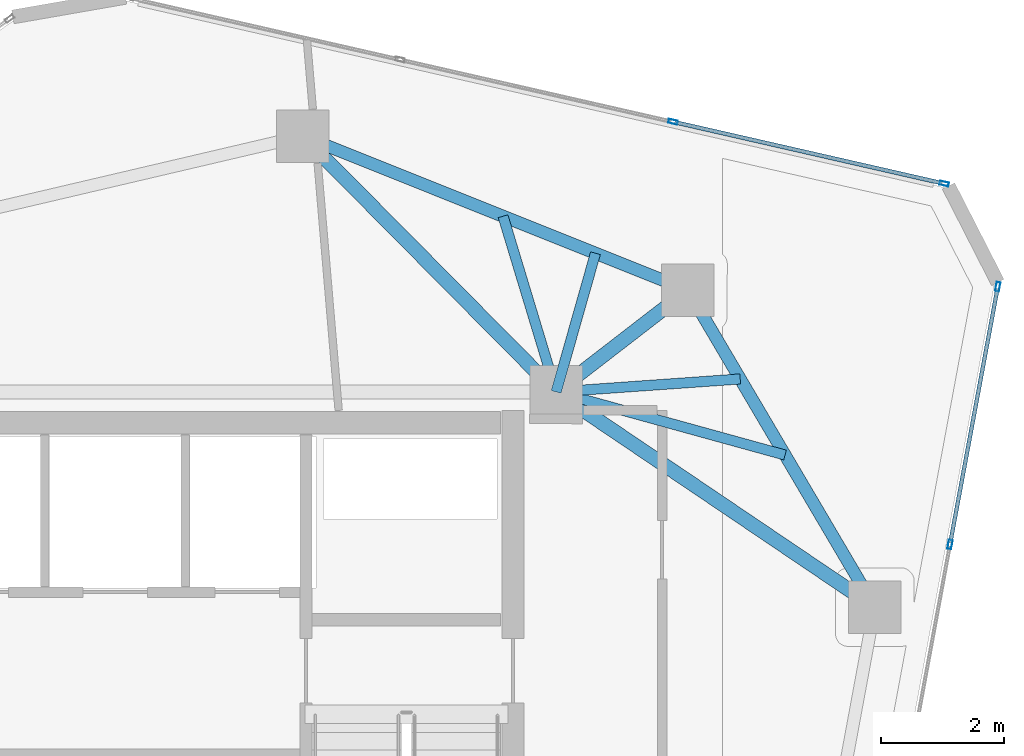
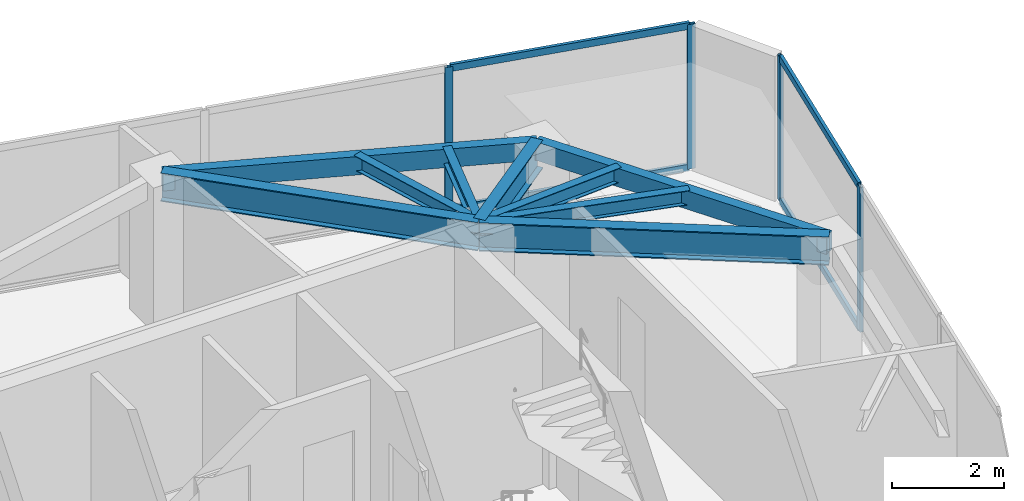
# One storey, part 13 of 19: 9 beams, 8 members, 2 elements without a shape of their own.
"""IFC4 building model written with IfcOpenShell, lengths in metres."""

from ifc_helpers import new_model, si_unit, direction, frame, origin, origin_2d, place, context, subcontext, project, spatial, hollow_rectangle, i_section, extrude, source, transform, mapped, material, layer, layer_set, material_profile, profile_set, type_object, type_shapes, element, aggregate, save


model = new_model("IFC4")

# Units and contexts
model_context = context("Model", 3, precision=1e-05, world=origin(), true_north=direction((0.0, 1.0)))
body_context = subcontext(model_context, "Body", "Model", "MODEL_VIEW")
ifc_project = project(units=[si_unit("LENGTHUNIT", "METRE"), si_unit("AREAUNIT", "SQUARE_METRE"), si_unit("VOLUMEUNIT", "CUBIC_METRE"), si_unit("PLANEANGLEUNIT", "RADIAN"), si_unit("MASSUNIT", "GRAM", prefix="KILO")], contexts=[model_context])

# Site, building, storey
site_placement = place(None, origin())
site = spatial("IfcSite", under=ifc_project, at=site_placement, CompositionType="ELEMENT")
building_placement = place(site_placement, origin())
building = spatial("IfcBuilding", under=site, at=building_placement, Name="Talar Marvaseh", CompositionType="ELEMENT")
storey_placement = place(building_placement, frame((0.0, 0.0, 240.800048828125)))
storey = spatial("IfcBuildingStorey", under=building, at=storey_placement, Name="L63", CompositionType="ELEMENT", Elevation=240.800048828125)

# Beams
ifc_material_1 = material(Name="Steel S355", Category="steel")
ifc_material_profile_1 = material_profile(ifc_material_1, hollow_rectangle(XDim=0.199951171875, YDim=0.39990234375, WallThickness=0.013916015625, at=origin_2d()), Name="RHS400x200x14")
ifc_profile_set_1 = profile_set([ifc_material_profile_1], Name="Steel S355")
beam_type_1 = type_object("IfcBeamType", Name="Zone 3 Perimeter Spandrel Beam RHS400x200x14", PredefinedType="SPANDREL", material=ifc_profile_set_1)
beam_1_placement = place(storey_placement, frame((29.18798828125, 41.052001953125, 2.93994140625), z_axis=(0.928426659475, -0.371515730456, 0.0), x_axis=(0.371515730456, 0.928426659475, 0.0)))
element("IfcBeam", 1, at=beam_1_placement, inside=storey, type_object=beam_type_1, Name="L63 Zone 3 Perimeter Spandrel Beam RHS400x200x14", PredefinedType="SPANDREL", context=body_context, shape_type="SweptSolid", body=[
    extrude(hollow_rectangle(XDim=0.199951171875, YDim=0.39990234375, WallThickness=0.013916015625, at=origin_2d()), origin(), (0.0, 0.0, 1.0), 6.73193359375),
])
beam_2_placement = place(storey_placement, frame((35.43798828125, 38.551025390625, 2.93994140625), z_axis=(0.507825587611, -0.861459907696, 0.0), x_axis=(0.861459907696, 0.507825587611, 0.0)))
element("IfcBeam", 2, at=beam_2_placement, inside=storey, type_object=beam_type_1, Name="L63 Zone 3 Perimeter Spandrel Beam RHS400x200x14", PredefinedType="SPANDREL", context=body_context, shape_type="SweptSolid", body=[
    extrude(hollow_rectangle(XDim=0.199951171875, YDim=0.39990234375, WallThickness=0.013916015625, at=origin_2d()), origin(), (0.0, 0.0, 1.0), 5.972412109375),
])
ifc_material_profile_2 = material_profile(ifc_material_1, i_section(OverallWidth=0.166015625, OverallDepth=0.31298828125, WebThickness=0.006591796875, FlangeThickness=0.01123046875, at=origin_2d()), Name="W310x45")
ifc_profile_set_2 = profile_set([ifc_material_profile_2], Name="Steel S355")
beam_type_2 = type_object("IfcBeamType", Name="Zone 3 Secondary Floor Joist W310x45", PredefinedType="JOIST", material=ifc_profile_set_2)
beam_3_placement = place(storey_placement, frame((32.43798828125, 39.75146484375, 2.9833984375), z_axis=(0.289377277289, -0.957215122837, 0.0), x_axis=(0.957215122837, 0.289377277289, 0.0)))
element("IfcBeam", 3, at=beam_3_placement, inside=storey, type_object=beam_type_2, Name="L63 Zone 3 Secondary Floor Joist W310x45", PredefinedType="JOIST", context=body_context, shape_type="SweptSolid", body=[
    extrude(i_section(OverallWidth=0.166015625, OverallDepth=0.31298828125, WebThickness=0.006591796875, FlangeThickness=0.01123046875, at=origin_2d()), origin(), (0.0, 0.0, 1.0), 2.97900390625),
])
beam_4_placement = place(storey_placement, frame((33.93798828125, 39.151123046875, 2.9833984375), z_axis=(-0.272639596879, -0.962116235293, 0.0), x_axis=(0.962116235293, -0.272639596879, 0.0)))
element("IfcBeam", 4, at=beam_4_placement, inside=storey, type_object=beam_type_2, Name="L63 Zone 3 Secondary Floor Joist W310x45", PredefinedType="JOIST", context=body_context, shape_type="SweptSolid", body=[
    extrude(i_section(OverallWidth=0.166015625, OverallDepth=0.31298828125, WebThickness=0.006591796875, FlangeThickness=0.01123046875, at=origin_2d()), origin(), (0.0, 0.0, 1.0), 2.33984375),
])
beam_5_placement = place(storey_placement, frame((36.287109375, 37.1103515625, 2.9833984375), z_axis=(-0.99752734531, -0.070279409208, 0.0), x_axis=(0.070279409208, -0.99752734531, 0.0)))
element("IfcBeam", 5, at=beam_5_placement, inside=storey, type_object=beam_type_2, Name="L63 Zone 3 Secondary Floor Joist W310x45", PredefinedType="JOIST", context=body_context, shape_type="SweptSolid", body=[
    extrude(i_section(OverallWidth=0.166015625, OverallDepth=0.31298828125, WebThickness=0.006591796875, FlangeThickness=0.01123046875, at=origin_2d()), origin(), (0.0, 0.0, 1.0), 2.994384765625),
])
beam_6_placement = place(storey_placement, frame((37.01513671875, 35.87548828125, 2.9833984375), z_axis=(-0.964021733175, 0.265823433818, 0.0), x_axis=(-0.265823433818, -0.964021733175, 0.0)))
element("IfcBeam", 6, at=beam_6_placement, inside=storey, type_object=beam_type_2, Name="L63 Zone 3 Secondary Floor Joist W310x45", PredefinedType="JOIST", context=body_context, shape_type="SweptSolid", body=[
    extrude(i_section(OverallWidth=0.166015625, OverallDepth=0.31298828125, WebThickness=0.006591796875, FlangeThickness=0.01123046875, at=origin_2d()), origin(), (0.0, 0.0, 1.0), 3.853759765625),
])
ifc_material_profile_3 = material_profile(ifc_material_1, i_section(OverallWidth=0.22998046875, OverallDepth=0.616943359375, WebThickness=0.01318359375, FlangeThickness=0.022216796875, at=origin_2d()), Name="W610x140")
ifc_profile_set_3 = profile_set([ifc_material_profile_3], Name="Steel S355")
beam_type_3 = type_object("IfcBeamType", Name="Zone 4 Radial Floor Girder W610x140", PredefinedType="BEAM", material=ifc_profile_set_3)
beam_7_placement = place(storey_placement, frame((29.18798828125, 41.052001953125, 2.83154296875), z_axis=(0.703672658083, -0.710524306598, 0.0), x_axis=(0.710524306598, 0.703672658083, 0.0)))
element("IfcBeam", 7, at=beam_7_placement, inside=storey, type_object=beam_type_3, Name="L63 Zone 4 Radial Floor Girder W610x140", PredefinedType="BEAM", context=body_context, shape_type="SweptSolid", body=[
    extrude(i_section(OverallWidth=0.22998046875, OverallDepth=0.616943359375, WebThickness=0.01318359375, FlangeThickness=0.022216796875, at=origin_2d()), origin(), (0.0, 0.0, 1.0), 5.84375),
])
beam_8_placement = place(storey_placement, frame((35.43798828125, 38.551025390625, 2.83154296875), z_axis=(-0.791449946636, -0.611233982996, 0.0), x_axis=(0.611233982996, -0.791449946636, 0.0)))
element("IfcBeam", 8, at=beam_8_placement, inside=storey, type_object=beam_type_3, Name="L63 Zone 4 Radial Floor Girder W610x140", PredefinedType="BEAM", context=body_context, shape_type="SweptSolid", body=[
    extrude(i_section(OverallWidth=0.22998046875, OverallDepth=0.616943359375, WebThickness=0.01318359375, FlangeThickness=0.022216796875, at=origin_2d()), origin(), (0.0, 0.0, 1.0), 2.701416015625),
])
beam_9_placement = place(storey_placement, frame((38.470947265625, 33.406005859375, 2.83154296875), z_axis=(-0.828585535277, 0.559862492698, 0.0), x_axis=(-0.559862492698, -0.828585535277, 0.0)))
element("IfcBeam", 9, at=beam_9_placement, inside=storey, type_object=beam_type_3, Name="L63 Zone 4 Radial Floor Girder W610x140", PredefinedType="BEAM", context=body_context, shape_type="SweptSolid", body=[
    extrude(i_section(OverallWidth=0.22998046875, OverallDepth=0.616943359375, WebThickness=0.01318359375, FlangeThickness=0.022216796875, at=origin_2d()), origin(), (0.0, 0.0, 1.0), 6.24072265625),
])

# Curtain wall, members
ifc_material_2 = material(Name="Architectural Aluminium", Category="aluminium")
ifc_layer = layer(ifc_material_2, 0.179931640625)
ifc_layer_set = layer_set([ifc_layer], Name="Architectural Aluminium")
curtain_wall_type = type_object("IfcCurtainWallType", Name="Unitised High-Wind Sky Curtain Wall Z4", PredefinedType="NOTDEFINED", material=ifc_layer_set)
curtain_wall_1_placement = place(storey_placement, origin())
curtain_wall_1 = element("IfcCurtainWall", 10, at=curtain_wall_1_placement, inside=storey, type_object=curtain_wall_type, Name="L63 Unitised High-Wind Sky Curtain Wall Z4", PredefinedType="NOTDEFINED")
ifc_material_profile_4 = material_profile(ifc_material_2, hollow_rectangle(XDim=0.06494140625, YDim=0.14990234375, WallThickness=0.00390625, at=origin_2d()), Name="RHS150x65x4")
ifc_profile_set_4 = profile_set([ifc_material_profile_4], Name="Architectural Aluminium")
member_type_1 = type_object("IfcMemberType", Name="Unitised Curtain Wall Slim Mullion RHS150x65x4", PredefinedType="MULLION", material=ifc_profile_set_4)
shared_shape_1 = source(origin(), body_context, "Body", "SweptSolid", [
    extrude(hollow_rectangle(XDim=0.06494140625, YDim=0.14990234375, WallThickness=0.00390625, at=origin_2d()), origin(), (0.0, 0.0, 1.0), 3.139892578125),
])
type_shapes(member_type_1, [shared_shape_1])
member_1_placement = place(storey_placement, frame((35.197021484375, 41.283935546875, 0.0), z_axis=(0.0, 0.0, 1.0), x_axis=(0.2223358751, 0.97497013218, 0.0)))
member_1 = element("IfcMember", 11, at=member_1_placement, type_object=member_type_1, Name="CW-Z4 mullion 3", PredefinedType="MULLION", context=body_context, shape_type="MappedRepresentation", body=[
    mapped(shared_shape_1, transform((0.0, 0.0, 0.0), x_axis=(1.0, 0.0, 0.0), y_axis=(0.0, 1.0, 0.0), z_axis=(0.0, 0.0, 1.0), scale=1.0)),
])
member_2_placement = place(storey_placement, frame((39.5966796875, 40.28076171875, 0.0), z_axis=(0.0, 0.0, 1.0), x_axis=(0.2223358751, 0.97497013218, 0.0)))
member_2 = element("IfcMember", 12, at=member_2_placement, type_object=member_type_1, Name="CW-Z4 mullion 4", PredefinedType="MULLION", context=body_context, shape_type="MappedRepresentation", body=[
    mapped(shared_shape_1, transform((0.0, 0.0, 0.0), x_axis=(1.0, 0.0, 0.0), y_axis=(0.0, 1.0, 0.0), z_axis=(0.0, 0.0, 1.0), scale=1.0)),
])

curtain_wall_2_placement = place(storey_placement, origin())
curtain_wall_2 = element("IfcCurtainWall", 13, at=curtain_wall_2_placement, inside=storey, type_object=curtain_wall_type, Name="L63 Unitised High-Wind Sky Curtain Wall Z4", PredefinedType="NOTDEFINED")
member_3_placement = place(storey_placement, frame((40.46826171875, 38.60693359375, 0.0), z_axis=(0.0, 0.0, 1.0), x_axis=(0.983227037765, -0.182385833354, 0.0)))
member_3 = element("IfcMember", 14, at=member_3_placement, type_object=member_type_1, Name="CW-Z4 mullion 1", PredefinedType="MULLION", context=body_context, shape_type="MappedRepresentation", body=[
    mapped(shared_shape_1, transform((0.0, 0.0, 0.0), x_axis=(1.0, 0.0, 0.0), y_axis=(0.0, 1.0, 0.0), z_axis=(0.0, 0.0, 1.0), scale=1.0)),
])
member_4_placement = place(storey_placement, frame((39.6923828125, 34.424560546875, 0.0), z_axis=(0.0, 0.0, 1.0), x_axis=(0.983227037765, -0.182385833354, 0.0)))
member_4 = element("IfcMember", 15, at=member_4_placement, type_object=member_type_1, Name="CW-Z4 mullion 2", PredefinedType="MULLION", context=body_context, shape_type="MappedRepresentation", body=[
    mapped(shared_shape_1, transform((0.0, 0.0, 0.0), x_axis=(1.0, 0.0, 0.0), y_axis=(0.0, 1.0, 0.0), z_axis=(0.0, 0.0, 1.0), scale=1.0)),
])

# Member
ifc_material_profile_5 = material_profile(ifc_material_2, hollow_rectangle(XDim=0.06494140625, YDim=0.14990234375, WallThickness=0.00390625, at=origin_2d()), Name="RHS150x65x4")
ifc_profile_set_5 = profile_set([ifc_material_profile_5], Name="Architectural Aluminium")
member_type_2 = type_object("IfcMemberType", Name="Unitised Curtain Wall Slim Transom RHS150x65x4", PredefinedType="USERDEFINED", material=ifc_profile_set_5)
shared_shape_2 = source(origin(), body_context, "Body", "SweptSolid", [
    extrude(hollow_rectangle(XDim=0.06494140625, YDim=0.14990234375, WallThickness=0.00390625, at=origin_2d()), origin(), (0.0, 0.0, 1.0), 4.447509765625),
])
member_5_placement = place(storey_placement, frame((35.228759765625, 41.27685546875, 0.032470703125), z_axis=(0.974961630505, -0.222373152704, 0.0), x_axis=(0.222373152704, 0.974961630505, 0.0)))
member_5 = element("IfcMember", 16, at=member_5_placement, type_object=member_type_2, Name="CW-Z4 transom 3.1", ObjectType="TRANSOM", PredefinedType="USERDEFINED", context=body_context, shape_type="MappedRepresentation", body=[
    mapped(shared_shape_2, transform((0.0, 0.0, 0.0), x_axis=(1.0, 0.0, 0.0), y_axis=(0.0, 1.0, 0.0), z_axis=(0.0, 0.0, 1.0), scale=1.0)),
])

member_6_placement = place(storey_placement, frame((35.228759765625, 41.27685546875, 3.107421875), z_axis=(0.974961630505, -0.222373152704, 0.0), x_axis=(0.222373152704, 0.974961630505, 0.0)))
member_6 = element("IfcMember", 17, at=member_6_placement, type_object=member_type_2, Name="CW-Z4 transom 3.2", ObjectType="TRANSOM", PredefinedType="USERDEFINED", context=body_context, shape_type="MappedRepresentation", body=[
    mapped(shared_shape_2, transform((0.0, 0.0, 0.0), x_axis=(1.0, 0.0, 0.0), y_axis=(0.0, 1.0, 0.0), z_axis=(0.0, 0.0, 1.0), scale=1.0)),
])

aggregate(curtain_wall_1, [member_1, member_2, member_5, member_6])

shared_shape_3 = source(origin(), body_context, "Body", "SweptSolid", [
    extrude(hollow_rectangle(XDim=0.06494140625, YDim=0.14990234375, WallThickness=0.00390625, at=origin_2d()), origin(), (0.0, 0.0, 1.0), 4.18896484375),
])
type_shapes(member_type_2, [shared_shape_2, shared_shape_3])
member_7_placement = place(storey_placement, frame((40.462158203125, 38.574951171875, 0.032470703125), z_axis=(-0.182366830482, -0.983230562554, 0.0), x_axis=(0.983230562554, -0.182366830482, 0.0)))
member_7 = element("IfcMember", 18, at=member_7_placement, type_object=member_type_2, Name="CW-Z4 transom 1.1", ObjectType="TRANSOM", PredefinedType="USERDEFINED", context=body_context, shape_type="MappedRepresentation", body=[
    mapped(shared_shape_3, transform((0.0, 0.0, 0.0), x_axis=(1.0, 0.0, 0.0), y_axis=(0.0, 1.0, 0.0), z_axis=(0.0, 0.0, 1.0), scale=1.0)),
])

member_8_placement = place(storey_placement, frame((40.462158203125, 38.574951171875, 3.107421875), z_axis=(-0.182366830482, -0.983230562554, 0.0), x_axis=(0.983230562554, -0.182366830482, 0.0)))
member_8 = element("IfcMember", 19, at=member_8_placement, type_object=member_type_2, Name="CW-Z4 transom 1.2", ObjectType="TRANSOM", PredefinedType="USERDEFINED", context=body_context, shape_type="MappedRepresentation", body=[
    mapped(shared_shape_3, transform((0.0, 0.0, 0.0), x_axis=(1.0, 0.0, 0.0), y_axis=(0.0, 1.0, 0.0), z_axis=(0.0, 0.0, 1.0), scale=1.0)),
])

aggregate(curtain_wall_2, [member_3, member_4, member_7, member_8])

save(model, "model.ifc")
